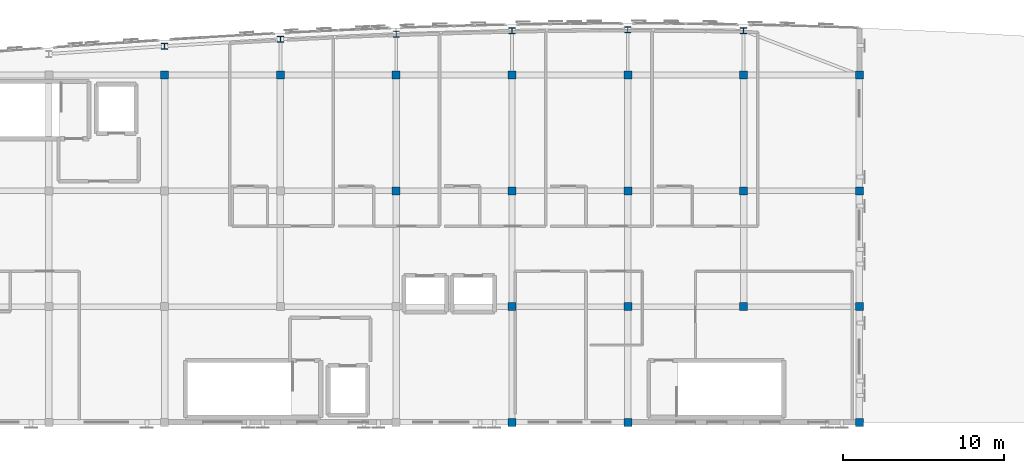
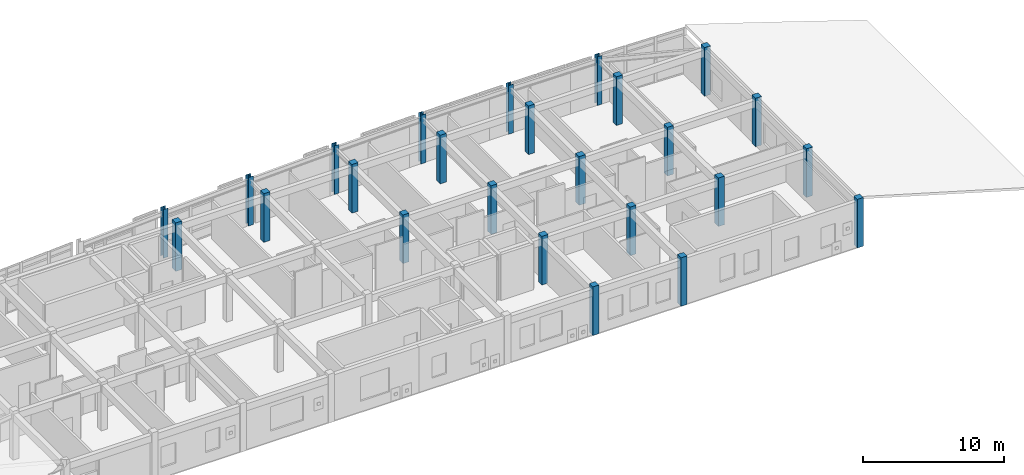
# One storey, part 2 of 24: 25 columns.
"""IFC4 building model written with IfcOpenShell, lengths in metres."""

import ifcopenshell
import ifcopenshell.guid

model = None  # the IFC model being written
_history = None  # IfcOwnerHistory: only IFC2X3 demands one
_inside = {}  # id of a spatial element -> (the spatial element, [elements in it])
_under = {}  # id of a project, library or spatial element -> (it, [spatial elements below it])
_declared = {}  # id of a project -> (the project, [libraries it declares])
_typed = {}  # id of a type object -> (the type object, [elements of that type])
_made_of = {}  # id of a material, layer set ... -> (it, [elements and type objects made of it])


def new_model(schema):
    """Start an empty IFC model of exactly this schema.

    Asked for "IFC4X3", IfcOpenShell would pick the latest addendum, in which some entities
    have other attributes; the version numbers below select the first issue.
    IFC2X3 requires an IfcOwnerHistory on every rooted entity: one is made here for all.
    """
    global model, _history
    if schema == "IFC4X3":
        model = ifcopenshell.file(schema_version=(4, 3, 0, 0))
    else:
        model = ifcopenshell.file(schema=schema)
    _inside.clear()
    _under.clear()
    _declared.clear()
    _typed.clear()
    _made_of.clear()
    _history = None
    if model.schema == "IFC2X3":
        org = make("IfcOrganization", Name="unknown")
        user = make(
            "IfcPersonAndOrganization",
            ThePerson=make("IfcPerson", FamilyName="unknown"),
            TheOrganization=org,
        )
        app = make(
            "IfcApplication",
            ApplicationDeveloper=org,
            Version="unknown",
            ApplicationFullName="unknown",
            ApplicationIdentifier="unknown",
        )
        _history = make(
            "IfcOwnerHistory",
            OwningUser=user,
            OwningApplication=app,
            ChangeAction="ADDED",
            CreationDate=0,
        )
    return model


def make(cls, **values):
    """One entity of the class cls with the attributes given. An attribute that is None is left unset."""
    return model.create_entity(
        cls, **{name: value for name, value in values.items() if value is not None}
    )


def rooted(cls, **values):
    """An entity with a GlobalId (a new one), such as an element, a storey or a relation."""
    return make(cls, GlobalId=ifcopenshell.guid.new(), OwnerHistory=_history, **values)


def si_unit(unit_type, name, prefix=None):
    """IfcSIUnit, for example si_unit("LENGTHUNIT", "METRE", prefix="MILLI")."""
    return make("IfcSIUnit", UnitType=unit_type, Prefix=prefix, Name=name)


def assignment(units):
    """IfcUnitAssignment: the units of a project."""
    return None if units is None else make("IfcUnitAssignment", Units=units)


def point(xyz):
    """IfcCartesianPoint."""
    return None if xyz is None else make("IfcCartesianPoint", Coordinates=xyz)


def direction(xyz):
    """IfcDirection."""
    return None if xyz is None else make("IfcDirection", DirectionRatios=xyz)


def frame(location, z_axis=None, x_axis=None):
    """IfcAxis2Placement3D, a coordinate frame: its origin and axes. An axis left out is left unset."""
    return make(
        "IfcAxis2Placement3D",
        Location=point(location),
        Axis=direction(z_axis),
        RefDirection=direction(x_axis),
    )


def frame_2d(location, x_axis=None):
    """IfcAxis2Placement2D, a coordinate frame in the plane: its origin and x axis."""
    return make(
        "IfcAxis2Placement2D", Location=point(location), RefDirection=direction(x_axis)
    )


def origin():
    """The frame at (0, 0, 0) with its axes left unset."""
    return frame((0.0, 0.0, 0.0))


def origin_2d():
    """The frame at (0, 0) in the plane with its x axis left unset."""
    return frame_2d((0.0, 0.0))


def place(relative_to, where):
    """IfcLocalPlacement: puts the frame where relative to a parent placement (None: the world)."""
    return make(
        "IfcLocalPlacement", PlacementRelTo=relative_to, RelativePlacement=where
    )


def context(
    kind, dimensions, precision=None, world=None, true_north=None, identifier=None
):
    """IfcGeometricRepresentationContext, for example the 3D "Model" context."""
    return make(
        "IfcGeometricRepresentationContext",
        ContextIdentifier=identifier,
        ContextType=kind,
        CoordinateSpaceDimension=dimensions,
        Precision=precision,
        WorldCoordinateSystem=world,
        TrueNorth=true_north,
    )


def subcontext(parent, identifier, kind, view, scale=None):
    """IfcGeometricRepresentationSubContext, for example "Body" below "Model"."""
    return make(
        "IfcGeometricRepresentationSubContext",
        ContextIdentifier=identifier,
        ContextType=kind,
        ParentContext=parent,
        TargetScale=scale,
        TargetView=view,
    )


def project(units=None, contexts=None):
    """IfcProject with its units and contexts."""
    return rooted(
        "IfcProject",
        Name="project",
        RepresentationContexts=contexts,
        UnitsInContext=assignment(units),
    )


def spatial(cls, under=None, at=None, **own):
    """A site, building, storey or space (cls), placed at a placement, below another one or the project."""
    s = rooted(cls, ObjectPlacement=at, **own)
    if under is not None:
        _under.setdefault(under.id(), (under, []))[1].append(s)
    return s


def profile(cls, at=None, kind="AREA", **sizes):
    """A parametric profile (cls). Its sizes go by their IFC names, for example OverallWidth=200.0."""
    return make(cls, ProfileType=kind, Position=at, **sizes)


def rectangle(**sizes):
    """IfcRectangleProfileDef."""
    return profile("IfcRectangleProfileDef", **sizes)


def i_section(**sizes):
    """IfcIShapeProfileDef."""
    return profile("IfcIShapeProfileDef", **sizes)


def extrude(swept, where, along, depth):
    """IfcExtrudedAreaSolid: the profile swept, set in the frame where, extruded along a direction by depth."""
    return make(
        "IfcExtrudedAreaSolid",
        SweptArea=swept,
        Position=where,
        ExtrudedDirection=direction(along),
        Depth=depth,
    )


def shape(context_of_items, identifier, shape_type, items):
    """IfcShapeRepresentation: the items that make up one representation, for example the "Body"."""
    return make(
        "IfcShapeRepresentation",
        ContextOfItems=context_of_items,
        RepresentationIdentifier=identifier,
        RepresentationType=shape_type,
        Items=items,
    )


def material(Name=None, Category=None):
    """IfcMaterial."""
    return make("IfcMaterial", Name=Name, Category=Category)


def material_profile(
    of_material, cross_section, Name=None, Category=None, Priority=None
):
    """IfcMaterialProfile: a cross section and its material."""
    return make(
        "IfcMaterialProfile",
        Name=Name,
        Material=of_material,
        Profile=cross_section,
        Priority=Priority,
        Category=Category,
    )


def profile_set(profiles, Name=None, composite=None):
    """IfcMaterialProfileSet."""
    return make(
        "IfcMaterialProfileSet",
        Name=Name,
        MaterialProfiles=profiles,
        CompositeProfile=composite,
    )


def made_of(thing, what):
    """Note that an element or type object is made of a material, layer set ...; save() writes the relation."""
    if what is not None:
        _made_of.setdefault(what.id(), (what, []))[1].append(thing)
    return thing


def type_object(cls, material=None, **own):
    """A type object (cls), such as IfcWallType, which elements share."""
    return made_of(rooted(cls, **own), material)


def element(
    cls,
    number,
    at=None,
    inside=None,
    cuts=None,
    type_object=None,
    material=None,
    context=None,
    identifier="Body",
    shape_type=None,
    held_by="IfcProductDefinitionShape",
    body=None,
    shapes=None,
    **own,
):
    """One element of the class cls, such as IfcWall. Its Tag is "e" and its number.

    at: its placement. inside: the storey or other place that contains it. cuts: it is an
    opening in that element (IfcRelVoidsElement). A single representation is given by context,
    identifier, shape_type and body (its items); several are given by shapes. held_by: the class
    of the entity that holds the representations. save() writes the other relations.
    """
    e = rooted(cls, Tag="e%d" % number, ObjectPlacement=at, **own)
    if body is not None:
        shapes = [shape(context, identifier, shape_type, body)]
    if shapes is not None:
        e.Representation = make(held_by, Representations=shapes)
    if inside is not None:
        _inside.setdefault(inside.id(), (inside, []))[1].append(e)
    if cuts is not None:
        rooted(
            "IfcRelVoidsElement", RelatingBuildingElement=cuts, RelatedOpeningElement=e
        )
    if type_object is not None:
        _typed.setdefault(type_object.id(), (type_object, []))[1].append(e)
    return made_of(e, material)


def aggregate(whole, parts):
    """IfcRelAggregates: a whole, such as a stair, and the parts it consists of."""
    return rooted("IfcRelAggregates", RelatingObject=whole, RelatedObjects=parts)


def save(model, path):
    """Write the relations noted so far, then the file.

    IfcRelAggregates (storeys below a building ...), IfcRelContainedInSpatialStructure (elements
    in a storey), IfcRelDefinesByType, IfcRelAssociatesMaterial and IfcRelDeclares: one each for
    every whole, place, type object, material and project.
    """
    for whole, parts in _under.values():
        aggregate(whole, parts)
    for where, things in _inside.values():
        rooted(
            "IfcRelContainedInSpatialStructure",
            RelatedElements=things,
            RelatingStructure=where,
        )
    for kind, things in _typed.values():
        rooted("IfcRelDefinesByType", RelatedObjects=things, RelatingType=kind)
    for what, things in _made_of.values():
        rooted("IfcRelAssociatesMaterial", RelatedObjects=things, RelatingMaterial=what)
    for by, libraries in _declared.values():
        rooted("IfcRelDeclares", RelatingContext=by, RelatedDefinitions=libraries)
    model.write(path)


model = new_model("IFC4")

# Units and contexts
model_context = context("Model", 3, precision=1e-05, world=origin(), true_north=direction((0.0, 1.0)))
body_context = subcontext(model_context, "Body", "Model", "MODEL_VIEW")
ifc_project = project(units=[si_unit("LENGTHUNIT", "METRE"), si_unit("AREAUNIT", "SQUARE_METRE"), si_unit("VOLUMEUNIT", "CUBIC_METRE"), si_unit("PLANEANGLEUNIT", "RADIAN"), si_unit("MASSUNIT", "GRAM", prefix="KILO")], contexts=[model_context])

# Site, building, storey
site_placement = place(None, origin())
site = spatial("IfcSite", under=ifc_project, at=site_placement, CompositionType="ELEMENT")
building_placement = place(site_placement, origin())
building = spatial("IfcBuilding", under=site, at=building_placement, Name="Carrowvane Square Congress Hotel", CompositionType="ELEMENT")
storey_placement = place(building_placement, frame((0.0, 0.0, 44.39990234375)))
storey = spatial("IfcBuildingStorey", under=building, at=storey_placement, Name="L11", CompositionType="ELEMENT", Elevation=44.39990234375)

# Columns
ifc_material_1 = material(Name="Concrete C40/50", Category="concrete")
ifc_material_profile_1 = material_profile(ifc_material_1, rectangle(XDim=0.5, YDim=0.5, at=origin_2d()), Name="RC 500x500")
ifc_profile_set_1 = profile_set([ifc_material_profile_1], Name="Concrete C40/50")
column_type_1 = type_object("IfcColumnType", Name="COL-RC-500", PredefinedType="COLUMN", material=ifc_profile_set_1)
for number, where, z_axis, x_axis, name in (
    (1, (69.199951171875, 113.39990234375, 0.0), (0.0, 0.0, 1.0), (1.0, 0.0, 0.0), "L11 column 9/R"),
    (2, (76.39990234375, 113.39990234375, 0.0), (0.0, 0.0, 1.0), (1.0, 0.0, 0.0), "L11 column 10/R"),
    (3, (83.60009765625, 106.199951171875, 0.0), (0.0, 0.0, 1.0), (1.0, 0.0, 0.0), "L11 column 11/Q"),
    (4, (83.60009765625, 113.39990234375, 0.0), (0.0, 0.0, 1.0), (1.0, 0.0, 0.0), "L11 column 11/R"),
    (5, (90.800048828125, 91.800048828125, 0.0), (0.0, 0.0, 1.0), (1.0, 0.0, 0.0), "L11 column 12/N"),
    (6, (90.800048828125, 99.0, 0.0), (0.0, 0.0, 1.0), (1.0, 0.0, 0.0), "L11 column 12/P"),
    (7, (90.800048828125, 106.199951171875, 0.0), (0.0, 0.0, 1.0), (1.0, 0.0, 0.0), "L11 column 12/Q"),
    (8, (90.800048828125, 113.39990234375, 0.0), (0.0, 0.0, 1.0), (1.0, 0.0, 0.0), "L11 column 12/R"),
    (9, (98.0, 91.800048828125, 0.0), (0.0, 0.0, 1.0), (1.0, 0.0, 0.0), "L11 column 13/N"),
    (10, (98.0, 99.0, 0.0), (0.0, 0.0, 1.0), (1.0, 0.0, 0.0), "L11 column 13/P"),
    (11, (98.0, 106.199951171875, 0.0), (0.0, 0.0, 1.0), (1.0, 0.0, 0.0), "L11 column 13/Q"),
    (12, (98.0, 113.39990234375, 0.0), (0.0, 0.0, 1.0), (1.0, 0.0, 0.0), "L11 column 13/R"),
    (13, (105.199951171875, 99.0, 0.0), (0.0, 0.0, 1.0), (1.0, 0.0, 0.0), "L11 column 14/P"),
    (14, (105.199951171875, 106.199951171875, 0.0), (0.0, 0.0, 1.0), (1.0, 0.0, 0.0), "L11 column 14/Q"),
    (15, (105.199951171875, 113.39990234375, 0.0), (0.0, 0.0, 1.0), (1.0, 0.0, 0.0), "L11 column 14/R"),
    (16, (112.39990234375, 91.800048828125, 0.0), (0.0, 0.0, 1.0), (1.0, 0.0, 0.0), "L11 column 15/N"),
    (17, (112.39990234375, 99.0, 0.0), (0.0, 0.0, 1.0), (1.0, 0.0, 0.0), "L11 column 15/P"),
    (18, (112.39990234375, 106.199951171875, 0.0), (0.0, 0.0, 1.0), (1.0, 0.0, 0.0), "L11 column 15/Q"),
    (19, (112.39990234375, 113.39990234375, 0.0), (0.0, 0.0, 1.0), (1.0, 0.0, 0.0), "L11 column 15/R"),
):
    element("IfcColumn", number, at=place(storey_placement, frame(where, z_axis=z_axis, x_axis=x_axis)), inside=storey, type_object=column_type_1, Name=name, PredefinedType="COLUMN", context=body_context, shape_type="SweptSolid", body=[
        extrude(rectangle(XDim=0.5, YDim=0.5, at=origin_2d()), origin(), (0.0, 0.0, 1.0), 4.2001953125),
    ])
ifc_material_2 = material(Name="Steel S355", Category="steel")
ifc_material_profile_2 = material_profile(ifc_material_2, i_section(OverallWidth=0.394775390625, OverallDepth=0.381103515625, WebThickness=0.018310546875, FlangeThickness=0.0302734375, FilletRadius=0.01513671875, at=origin_2d()), Name="UKC 356x406x235")
ifc_profile_set_2 = profile_set([ifc_material_profile_2], Name="Steel S355")
column_type_2 = type_object("IfcColumnType", Name="COL-ST-UKC406", PredefinedType="COLUMN", material=ifc_profile_set_2)
for number, where, z_axis, x_axis, name in (
    (20, (69.199951171875, 115.1943359375, 0.0), (0.0, 0.0, 1.0), (1.0, 0.0, 0.0), "L11 column 9/ARC"),
    (21, (76.39990234375, 115.61767578125, 0.0), (0.0, 0.0, 1.0), (1.0, 0.0, 0.0), "L11 column 10/ARC"),
    (22, (83.60009765625, 115.944091796875, 0.0), (0.0, 0.0, 1.0), (1.0, 0.0, 0.0), "L11 column 11/ARC"),
    (23, (90.800048828125, 116.14990234375, 0.0), (0.0, 0.0, 1.0), (1.0, 0.0, 0.0), "L11 column 12/ARC"),
    (24, (98.0, 116.219970703125, 0.0), (0.0, 0.0, 1.0), (1.0, 0.0, 0.0), "L11 column 13/ARC"),
    (25, (105.199951171875, 116.14990234375, 0.0), (0.0, 0.0, 1.0), (1.0, 0.0, 0.0), "L11 column 14/ARC"),
):
    element("IfcColumn", number, at=place(storey_placement, frame(where, z_axis=z_axis, x_axis=x_axis)), inside=storey, type_object=column_type_2, Name=name, PredefinedType="COLUMN", context=body_context, shape_type="SweptSolid", body=[
        extrude(i_section(OverallWidth=0.394775390625, OverallDepth=0.381103515625, WebThickness=0.018310546875, FlangeThickness=0.0302734375, FilletRadius=0.01513671875, at=origin_2d()), origin(), (0.0, 0.0, 1.0), 4.2001953125),
    ])

save(model, "model.ifc")
